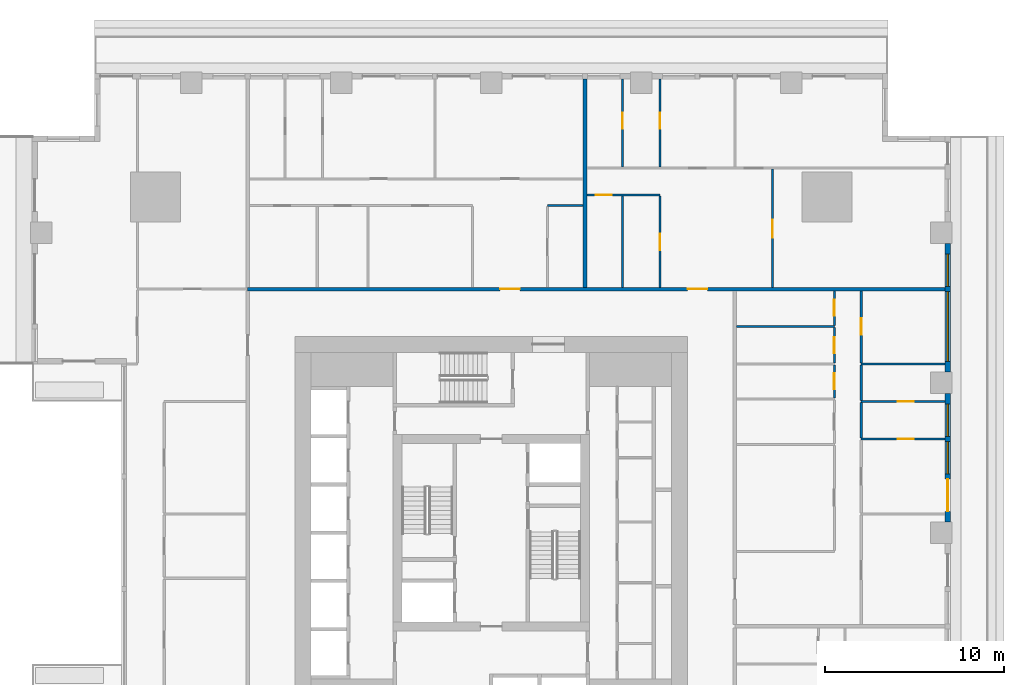
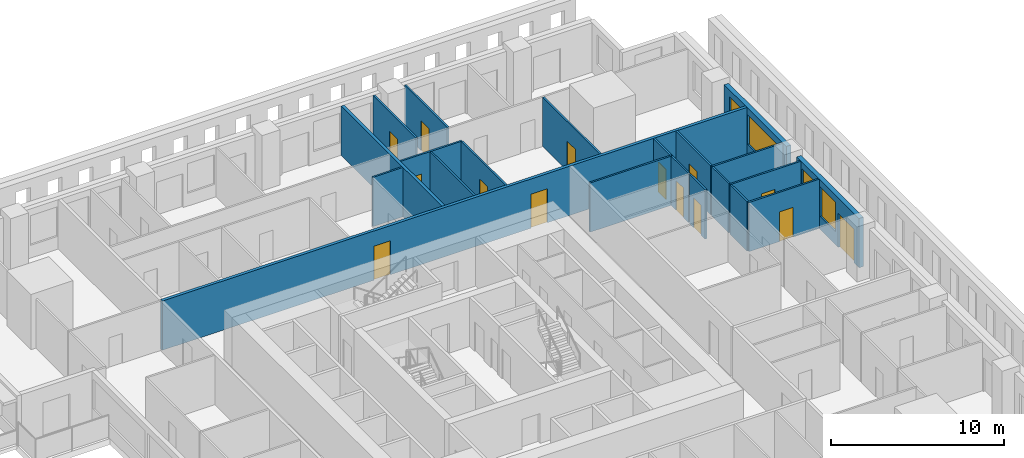
# One storey, part 8 of 14: 21 walls, 14 doors, 4 windows, 18 openings.
"""IFC4 building model written with IfcOpenShell, lengths in metres."""

from ifc_helpers import new_model, si_unit, direction, frame, frame_2d, origin, place, context, subcontext, project, spatial, rectangle, extrude, material, layer, layer_set, type_object, element, fill, save


model = new_model("IFC4")

# Units and contexts
model_context = context("Model", 3, precision=1e-05, world=origin(), true_north=direction((0.0, 1.0)))
body_context = subcontext(model_context, "Body", "Model", "MODEL_VIEW")
ifc_project = project(units=[si_unit("LENGTHUNIT", "METRE"), si_unit("AREAUNIT", "SQUARE_METRE"), si_unit("VOLUMEUNIT", "CUBIC_METRE"), si_unit("PLANEANGLEUNIT", "RADIAN"), si_unit("MASSUNIT", "GRAM", prefix="KILO")], contexts=[model_context])

# Site, building, storey
site_placement = place(None, origin())
site = spatial("IfcSite", under=ifc_project, at=site_placement, CompositionType="ELEMENT")
building_placement = place(site_placement, origin())
building = spatial("IfcBuilding", under=site, at=building_placement, Name="Khepri Terraces", CompositionType="ELEMENT")
storey_placement = place(building_placement, frame((0.0, 0.0, 102.60009765625)))
storey = spatial("IfcBuildingStorey", under=building, at=storey_placement, Name="L24", CompositionType="ELEMENT", Elevation=102.60009765625)

# Wall, openings, doors
ifc_material_1 = material(Name="Fire-rated gypsum plasterboard partition, mineral wool")
ifc_layer_1 = layer(ifc_material_1, 0.199951171875, Name="Fire-rated gypsum plasterboard partition, mineral wool")
ifc_layer_set_1 = layer_set([ifc_layer_1], Name="Fire-rated gypsum plasterboard partition, mineral wool")
wall_type_1 = type_object("IfcWallType", Name="WL-CORR-200", PredefinedType="PARTITIONING", material=ifc_layer_set_1)
wall_1_placement = place(storey_placement, frame((-13.64990234375, 13.64990234375, 0.0), z_axis=(0.0, 0.0, 1.0), x_axis=(1.0, 0.0, 0.0)))
wall_1 = element("IfcWall", 1, at=wall_1_placement, inside=storey, type_object=wall_type_1, Name="Partition P-070 L24", PredefinedType="PARTITIONING", context=body_context, shape_type="SweptSolid", body=[
    extrude(rectangle(XDim=39.06982421875, YDim=0.199951171875, at=frame_2d((19.534912109375, 0.0))), origin(), (0.0, 0.0, 1.0), 3.47998046875),
])
opening_1_placement = place(wall_1_placement, frame((24.64990234375, 0.0, 0.0)))
opening_1 = element("IfcOpeningElement", 2, at=opening_1_placement, cuts=wall_1, Name="Opening D1", PredefinedType="OPENING", context=body_context, shape_type="SweptSolid", body=[
    extrude(rectangle(XDim=1.10009765625, YDim=2.39990234375, at=frame_2d((0.550048828125, 1.199951171875))), frame((0.0, 0.10986328125, 0.0), z_axis=(0.0, -1.0, 0.0), x_axis=(1.0, 0.0, 0.0)), (0.0, 0.0, 1.0), 0.219970703125),
])
opening_2_placement = place(wall_1_placement, frame((14.14990234375, 0.0, 0.0)))
opening_2 = element("IfcOpeningElement", 3, at=opening_2_placement, cuts=wall_1, Name="Opening D1", PredefinedType="OPENING", context=body_context, shape_type="SweptSolid", body=[
    extrude(rectangle(XDim=1.10009765625, YDim=2.39990234375, at=frame_2d((0.550048828125, 1.199951171875))), frame((0.0, 0.10986328125, 0.0), z_axis=(0.0, -1.0, 0.0), x_axis=(1.0, 0.0, 0.0)), (0.0, 0.0, 1.0), 0.219970703125),
])
ifc_material_2 = material(Name="Solid-core timber door leaf, flat entrance door", Category="wood")
door_type_1 = type_object("IfcDoorType", Name="DR-ENT-1100", OperationType="NOTDEFINED", PredefinedType="DOOR", material=ifc_material_2)
door_1_placement = place(opening_1_placement, origin())
door_1 = element("IfcDoor", 4, at=door_1_placement, inside=storey, type_object=door_type_1, Name="Flat C1 entrance door", OperationType="SINGLE_SWING_RIGHT", OverallHeight=2.39990234375, OverallWidth=1.10009765625, PredefinedType="DOOR", context=body_context, shape_type="SweptSolid", body=[
    extrude(rectangle(XDim=1.10009765625, YDim=2.39990234375, at=frame_2d((0.550048828125, 1.199951171875))), frame((0.0, 0.02490234375, 0.0), z_axis=(0.0, -1.0, 0.0), x_axis=(1.0, 0.0, 0.0)), (0.0, 0.0, 1.0), 0.050048828125),
])
fill(opening_1, door_1)
door_2_placement = place(opening_2_placement, origin())
door_2 = element("IfcDoor", 5, at=door_2_placement, inside=storey, type_object=door_type_1, Name="Flat C2 entrance door", OperationType="SINGLE_SWING_LEFT", OverallHeight=2.39990234375, OverallWidth=1.10009765625, PredefinedType="DOOR", context=body_context, shape_type="SweptSolid", body=[
    extrude(rectangle(XDim=1.10009765625, YDim=2.39990234375, at=frame_2d((0.550048828125, 1.199951171875))), frame((0.0, 0.02490234375, 0.0), z_axis=(0.0, -1.0, 0.0), x_axis=(1.0, 0.0, 0.0)), (0.0, 0.0, 1.0), 0.050048828125),
])
fill(opening_2, door_2)

# Wall
wall_2_placement = place(storey_placement, frame((5.25, 13.75, 0.0), z_axis=(0.0, 0.0, 1.0), x_axis=(0.0, 1.0, 0.0)))
element("IfcWall", 6, at=wall_2_placement, inside=storey, type_object=wall_type_1, Name="Partition P-077 L24", PredefinedType="PARTITIONING", context=body_context, shape_type="SweptSolid", body=[
    extrude(rectangle(XDim=11.669921875, YDim=0.199951171875, at=frame_2d((5.8349609375, 0.0))), origin(), (0.0, 0.0, 1.0), 3.47998046875),
])

# Wall, openings, door, windows
ifc_material_3 = material(Name="Precast concrete C50/60 warm stone", Category="masonry")
ifc_layer_2 = layer(ifc_material_3, 0.300048828125, Name="Precast concrete C50/60 warm stone", Category="masonry")
ifc_layer_set_2 = layer_set([ifc_layer_2], Name="Precast concrete C50/60 warm stone")
wall_type_2 = type_object("IfcWallType", Name="WL-EXT-PRECAST-300", PredefinedType="STANDARD", material=ifc_layer_set_2)
wall_3_placement = place(storey_placement, frame((25.570068359375, 0.60009765625, 0.0), z_axis=(0.0, 0.0, 1.0), x_axis=(0.0, 1.0, 0.0)))
wall_3 = element("IfcWall", 7, at=wall_3_placement, inside=storey, type_object=wall_type_2, Name="External wall L24 E", PredefinedType="STANDARD", context=body_context, shape_type="SweptSolid", body=[
    extrude(rectangle(XDim=7.199951171875, YDim=0.300048828125, at=frame_2d((3.60009765625, 0.0))), origin(), (0.0, 0.0, 1.0), 3.47998046875),
])
opening_3_placement = place(wall_3_placement, frame((0.60009765625, 0.0, 0.0)))
opening_3 = element("IfcOpeningElement", 8, at=opening_3_placement, cuts=wall_3, Name="Opening ED-L24-05", PredefinedType="OPENING", context=body_context, shape_type="SweptSolid", body=[
    extrude(rectangle(XDim=1.800048828125, YDim=2.39990234375, at=frame_2d((0.89990234375, 1.199951171875))), frame((0.0, 0.16015625, 0.0), z_axis=(0.0, -1.0, 0.0), x_axis=(1.0, 0.0, 0.0)), (0.0, 0.0, 1.0), 0.320068359375),
])
opening_4_placement = place(wall_3_placement, frame((2.699951171875, 0.0, 0.89990234375)))
opening_4 = element("IfcOpeningElement", 9, at=opening_4_placement, cuts=wall_3, Name="Opening W1", PredefinedType="OPENING", context=body_context, shape_type="SweptSolid", body=[
    extrude(rectangle(XDim=1.800048828125, YDim=2.10009765625, at=frame_2d((0.89990234375, 1.050048828125))), frame((0.0, 0.16015625, 0.0), z_axis=(0.0, -1.0, 0.0), x_axis=(1.0, 0.0, 0.0)), (0.0, 0.0, 1.0), 0.320068359375),
])
opening_5_placement = place(wall_3_placement, frame((4.800048828125, 0.0, 0.89990234375)))
opening_5 = element("IfcOpeningElement", 10, at=opening_5_placement, cuts=wall_3, Name="Opening W1", PredefinedType="OPENING", context=body_context, shape_type="SweptSolid", body=[
    extrude(rectangle(XDim=1.800048828125, YDim=2.10009765625, at=frame_2d((0.89990234375, 1.050048828125))), frame((0.0, 0.16015625, 0.0), z_axis=(0.0, -1.0, 0.0), x_axis=(1.0, 0.0, 0.0)), (0.0, 0.0, 1.0), 0.320068359375),
])
ifc_material_4 = material(Name="Anodised aluminium bronze glazed door", Category="aluminium")
door_type_2 = type_object("IfcDoorType", Name="DR-BAL-SLIDE-1800x2400", OperationType="NOTDEFINED", PredefinedType="DOOR", material=ifc_material_4)
door_3_placement = place(opening_3_placement, origin())
door_3 = element("IfcDoor", 11, at=door_3_placement, inside=storey, type_object=door_type_2, Name="Balcony door L24 E", OperationType="SLIDING_TO_LEFT", OverallHeight=2.39990234375, OverallWidth=1.800048828125, PredefinedType="DOOR", context=body_context, shape_type="SweptSolid", body=[
    extrude(rectangle(XDim=1.800048828125, YDim=2.39990234375, at=frame_2d((0.89990234375, 1.199951171875))), frame((0.0, 0.02490234375, 0.0), z_axis=(0.0, -1.0, 0.0), x_axis=(1.0, 0.0, 0.0)), (0.0, 0.0, 1.0), 0.050048828125),
])
fill(opening_3, door_3)
ifc_material_5 = material(Name="Clear glass", Category="glass")
window_type_1 = type_object("IfcWindowType", Name="WIN-RES-1800x2100", PartitioningType="SINGLE_PANEL", PredefinedType="WINDOW", material=ifc_material_5)
window_1_placement = place(opening_4_placement, origin())
window_1 = element("IfcWindow", 12, at=window_1_placement, inside=storey, type_object=window_type_1, Name="Window L24 E", OverallHeight=2.10009765625, OverallWidth=1.800048828125, PartitioningType="SINGLE_PANEL", PredefinedType="WINDOW", context=body_context, shape_type="SweptSolid", body=[
    extrude(rectangle(XDim=1.800048828125, YDim=2.10009765625, at=frame_2d((0.89990234375, 1.050048828125))), frame((0.0, 0.030029296875, 0.0), z_axis=(0.0, -1.0, 0.0), x_axis=(1.0, 0.0, 0.0)), (0.0, 0.0, 1.0), 0.06005859375),
])
fill(opening_4, window_1)
window_2_placement = place(opening_5_placement, origin())
window_2 = element("IfcWindow", 13, at=window_2_placement, inside=storey, type_object=window_type_1, Name="Window L24 E", OverallHeight=2.10009765625, OverallWidth=1.800048828125, PartitioningType="SINGLE_PANEL", PredefinedType="WINDOW", context=body_context, shape_type="SweptSolid", body=[
    extrude(rectangle(XDim=1.800048828125, YDim=2.10009765625, at=frame_2d((0.89990234375, 1.050048828125))), frame((0.0, 0.030029296875, 0.0), z_axis=(0.0, -1.0, 0.0), x_axis=(1.0, 0.0, 0.0)), (0.0, 0.0, 1.0), 0.06005859375),
])
fill(opening_5, window_2)

# Wall, openings, windows
wall_4_placement = place(storey_placement, frame((25.570068359375, 9.0, 0.0), z_axis=(0.0, 0.0, 1.0), x_axis=(0.0, 1.0, 0.0)))
wall_4 = element("IfcWall", 14, at=wall_4_placement, inside=storey, type_object=wall_type_2, Name="External wall L24 E", PredefinedType="STANDARD", context=body_context, shape_type="SweptSolid", body=[
    extrude(rectangle(XDim=7.199951171875, YDim=0.300048828125, at=frame_2d((3.60009765625, 0.0))), origin(), (0.0, 0.0, 1.0), 3.47998046875),
])
opening_6_placement = place(wall_4_placement, frame((0.60009765625, 0.0, 0.89990234375)))
opening_6 = element("IfcOpeningElement", 15, at=opening_6_placement, cuts=wall_4, Name="Opening W2", PredefinedType="OPENING", context=body_context, shape_type="SweptSolid", body=[
    extrude(rectangle(XDim=3.89990234375, YDim=2.10009765625, at=frame_2d((1.949951171875, 1.050048828125))), frame((0.0, 0.16015625, 0.0), z_axis=(0.0, -1.0, 0.0), x_axis=(1.0, 0.0, 0.0)), (0.0, 0.0, 1.0), 0.320068359375),
])
opening_7_placement = place(wall_4_placement, frame((4.800048828125, 0.0, 0.89990234375)))
opening_7 = element("IfcOpeningElement", 16, at=opening_7_placement, cuts=wall_4, Name="Opening W1", PredefinedType="OPENING", context=body_context, shape_type="SweptSolid", body=[
    extrude(rectangle(XDim=1.800048828125, YDim=2.10009765625, at=frame_2d((0.89990234375, 1.050048828125))), frame((0.0, 0.16015625, 0.0), z_axis=(0.0, -1.0, 0.0), x_axis=(1.0, 0.0, 0.0)), (0.0, 0.0, 1.0), 0.320068359375),
])
window_3_placement = place(opening_7_placement, origin())
window_3 = element("IfcWindow", 17, at=window_3_placement, inside=storey, type_object=window_type_1, Name="Window L24 E", OverallHeight=2.10009765625, OverallWidth=1.800048828125, PartitioningType="SINGLE_PANEL", PredefinedType="WINDOW", context=body_context, shape_type="SweptSolid", body=[
    extrude(rectangle(XDim=1.800048828125, YDim=2.10009765625, at=frame_2d((0.89990234375, 1.050048828125))), frame((0.0, 0.030029296875, 0.0), z_axis=(0.0, -1.0, 0.0), x_axis=(1.0, 0.0, 0.0)), (0.0, 0.0, 1.0), 0.06005859375),
])
fill(opening_7, window_3)
window_type_2 = type_object("IfcWindowType", Name="WIN-RES-3900x2100", PartitioningType="SINGLE_PANEL", PredefinedType="WINDOW", material=ifc_material_5)
window_4_placement = place(opening_6_placement, origin())
window_4 = element("IfcWindow", 18, at=window_4_placement, inside=storey, type_object=window_type_2, Name="Window L24 E", OverallHeight=2.10009765625, OverallWidth=3.89990234375, PartitioningType="SINGLE_PANEL", PredefinedType="WINDOW", context=body_context, shape_type="SweptSolid", body=[
    extrude(rectangle(XDim=3.89990234375, YDim=2.10009765625, at=frame_2d((1.949951171875, 1.050048828125))), frame((0.0, 0.030029296875, 0.0), z_axis=(0.0, -1.0, 0.0), x_axis=(1.0, 0.0, 0.0)), (0.0, 0.0, 1.0), 0.06005859375),
])
fill(opening_6, window_4)

# Wall, opening, door
ifc_material_6 = material(Name="Gypsum plasterboard partition")
ifc_layer_3 = layer(ifc_material_6, 0.1201171875, Name="Gypsum plasterboard partition")
ifc_layer_set_3 = layer_set([ifc_layer_3], Name="Gypsum plasterboard partition")
wall_type_3 = type_object("IfcWallType", Name="WL-PART-120", PredefinedType="PARTITIONING", material=ifc_layer_set_3)
wall_5_placement = place(storey_placement, frame((20.719970703125, 5.25, 0.0), z_axis=(0.0, 0.0, 1.0), x_axis=(1.0, 0.0, 0.0)))
wall_5 = element("IfcWall", 19, at=wall_5_placement, inside=storey, type_object=wall_type_3, Name="Partition P-054 L24", PredefinedType="PARTITIONING", context=body_context, shape_type="SweptSolid", body=[
    extrude(rectangle(XDim=4.699951171875, YDim=0.1201171875, at=frame_2d((2.35009765625, 0.0))), origin(), (0.0, 0.0, 1.0), 3.47998046875),
])
opening_8_placement = place(wall_5_placement, frame((2.050048828125, 0.0, 0.0)))
opening_8 = element("IfcOpeningElement", 20, at=opening_8_placement, cuts=wall_5, Name="Opening D3", PredefinedType="OPENING", context=body_context, shape_type="SweptSolid", body=[
    extrude(rectangle(XDim=0.89990234375, YDim=2.10009765625, at=frame_2d((0.449951171875, 1.050048828125))), frame((0.0, 0.070068359375, 0.0), z_axis=(0.0, -1.0, 0.0), x_axis=(1.0, 0.0, 0.0)), (0.0, 0.0, 1.0), 0.14013671875),
])
ifc_material_7 = material(Name="Timber door leaf", Category="wood")
door_type_3 = type_object("IfcDoorType", Name="DR-INT-900", OperationType="NOTDEFINED", PredefinedType="DOOR", material=ifc_material_7)
door_4_placement = place(opening_8_placement, origin())
door_4 = element("IfcDoor", 21, at=door_4_placement, inside=storey, type_object=door_type_3, Name="Door Dressing Room", OperationType="SINGLE_SWING_RIGHT", OverallHeight=2.10009765625, OverallWidth=0.89990234375, PredefinedType="DOOR", context=body_context, shape_type="SweptSolid", body=[
    extrude(rectangle(XDim=0.89990234375, YDim=2.10009765625, at=frame_2d((0.449951171875, 1.050048828125))), frame((0.0, 0.02490234375, 0.0), z_axis=(0.0, -1.0, 0.0), x_axis=(1.0, 0.0, 0.0)), (0.0, 0.0, 1.0), 0.050048828125),
])
fill(opening_8, door_4)

# Wall
wall_6_placement = place(storey_placement, frame((20.719970703125, 5.31005859375, 0.0), z_axis=(0.0, 0.0, 1.0), x_axis=(0.0, 1.0, 0.0)))
element("IfcWall", 22, at=wall_6_placement, inside=storey, type_object=wall_type_3, Name="Partition P-055 L24", PredefinedType="PARTITIONING", context=body_context, shape_type="SweptSolid", body=[
    extrude(rectangle(XDim=1.97998046875, YDim=0.1201171875, at=frame_2d((0.989990234375, 0.0))), origin(), (0.0, 0.0, 1.0), 3.47998046875),
])

# Wall, opening, door
wall_7_placement = place(storey_placement, frame((20.719970703125, 7.35009765625, 0.0), z_axis=(0.0, 0.0, 1.0), x_axis=(1.0, 0.0, 0.0)))
wall_7 = element("IfcWall", 23, at=wall_7_placement, inside=storey, type_object=wall_type_3, Name="Partition P-057 L24", PredefinedType="PARTITIONING", context=body_context, shape_type="SweptSolid", body=[
    extrude(rectangle(XDim=4.699951171875, YDim=0.1201171875, at=frame_2d((2.35009765625, 0.0))), origin(), (0.0, 0.0, 1.0), 3.47998046875),
])
opening_9_placement = place(wall_7_placement, frame((2.050048828125, 0.0, 0.0)))
opening_9 = element("IfcOpeningElement", 24, at=opening_9_placement, cuts=wall_7, Name="Opening D4", PredefinedType="OPENING", context=body_context, shape_type="SweptSolid", body=[
    extrude(rectangle(XDim=0.89990234375, YDim=2.10009765625, at=frame_2d((0.449951171875, 1.050048828125))), frame((0.0, 0.070068359375, 0.0), z_axis=(0.0, -1.0, 0.0), x_axis=(1.0, 0.0, 0.0)), (0.0, 0.0, 1.0), 0.14013671875),
])
ifc_material_8 = material(Name="Timber door leaf, moisture resistant", Category="wood")
door_type_4 = type_object("IfcDoorType", Name="DR-WET-900", OperationType="NOTDEFINED", PredefinedType="DOOR", material=ifc_material_8)
door_5_placement = place(opening_9_placement, origin())
door_5 = element("IfcDoor", 25, at=door_5_placement, inside=storey, type_object=door_type_4, Name="Door Bathroom", OperationType="SINGLE_SWING_RIGHT", OverallHeight=2.10009765625, OverallWidth=0.89990234375, PredefinedType="DOOR", context=body_context, shape_type="SweptSolid", body=[
    extrude(rectangle(XDim=0.89990234375, YDim=2.10009765625, at=frame_2d((0.449951171875, 1.050048828125))), frame((0.0, 0.02490234375, 0.0), z_axis=(0.0, -1.0, 0.0), x_axis=(1.0, 0.0, 0.0)), (0.0, 0.0, 1.0), 0.050048828125),
])
fill(opening_9, door_5)

# Wall
wall_8_placement = place(storey_placement, frame((20.719970703125, 7.409912109375, 0.0), z_axis=(0.0, 0.0, 1.0), x_axis=(0.0, 1.0, 0.0)))
element("IfcWall", 26, at=wall_8_placement, inside=storey, type_object=wall_type_3, Name="Partition P-058 L24", PredefinedType="PARTITIONING", context=body_context, shape_type="SweptSolid", body=[
    extrude(rectangle(XDim=1.97998046875, YDim=0.1201171875, at=frame_2d((0.989990234375, 0.0))), origin(), (0.0, 0.0, 1.0), 3.47998046875),
])

# Wall, opening, door
wall_9_placement = place(storey_placement, frame((19.219970703125, 7.56005859375, 0.0), z_axis=(0.0, 0.0, 1.0), x_axis=(0.0, 1.0, 0.0)))
wall_9 = element("IfcWall", 27, at=wall_9_placement, inside=storey, type_object=wall_type_3, Name="Partition P-060 L24", PredefinedType="PARTITIONING", context=body_context, shape_type="SweptSolid", body=[
    extrude(rectangle(XDim=1.829833984375, YDim=0.1201171875, at=frame_2d((0.9150390625, 0.0))), origin(), (0.0, 0.0, 1.0), 3.47998046875),
])
opening_10_placement = place(wall_9_placement, frame((0.465087890625, 0.0, 0.0)))
opening_10 = element("IfcOpeningElement", 28, at=opening_10_placement, cuts=wall_9, Name="Opening D4", PredefinedType="OPENING", context=body_context, shape_type="SweptSolid", body=[
    extrude(rectangle(XDim=0.89990234375, YDim=2.10009765625, at=frame_2d((0.449951171875, 1.050048828125))), frame((0.0, 0.070068359375, 0.0), z_axis=(0.0, -1.0, 0.0), x_axis=(1.0, 0.0, 0.0)), (0.0, 0.0, 1.0), 0.14013671875),
])
door_6_placement = place(opening_10_placement, origin())
door_6 = element("IfcDoor", 29, at=door_6_placement, inside=storey, type_object=door_type_4, Name="Door Powder Room", OperationType="SINGLE_SWING_LEFT", OverallHeight=2.10009765625, OverallWidth=0.89990234375, PredefinedType="DOOR", context=body_context, shape_type="SweptSolid", body=[
    extrude(rectangle(XDim=0.89990234375, YDim=2.10009765625, at=frame_2d((0.449951171875, 1.050048828125))), frame((0.0, 0.02490234375, 0.0), z_axis=(0.0, -1.0, 0.0), x_axis=(1.0, 0.0, 0.0)), (0.0, 0.0, 1.0), 0.050048828125),
])
fill(opening_10, door_6)

# Wall
wall_10_placement = place(storey_placement, frame((20.719970703125, 9.449951171875, 0.0), z_axis=(0.0, 0.0, 1.0), x_axis=(1.0, 0.0, 0.0)))
element("IfcWall", 30, at=wall_10_placement, inside=storey, type_object=wall_type_3, Name="Partition P-063 L24", PredefinedType="PARTITIONING", context=body_context, shape_type="SweptSolid", body=[
    extrude(rectangle(XDim=4.699951171875, YDim=0.1201171875, at=frame_2d((2.35009765625, 0.0))), origin(), (0.0, 0.0, 1.0), 3.47998046875),
])

# Wall, opening, door
wall_11_placement = place(storey_placement, frame((19.219970703125, 9.510009765625, 0.0), z_axis=(0.0, 0.0, 1.0), x_axis=(0.0, 1.0, 0.0)))
wall_11 = element("IfcWall", 31, at=wall_11_placement, inside=storey, type_object=wall_type_3, Name="Partition P-065 L24", PredefinedType="PARTITIONING", context=body_context, shape_type="SweptSolid", body=[
    extrude(rectangle(XDim=1.97998046875, YDim=0.1201171875, at=frame_2d((0.989990234375, 0.0))), origin(), (0.0, 0.0, 1.0), 3.47998046875),
])
opening_11_placement = place(wall_11_placement, frame((0.5400390625, 0.0, 0.0)))
opening_11 = element("IfcOpeningElement", 32, at=opening_11_placement, cuts=wall_11, Name="Opening D3", PredefinedType="OPENING", context=body_context, shape_type="SweptSolid", body=[
    extrude(rectangle(XDim=0.89990234375, YDim=2.10009765625, at=frame_2d((0.449951171875, 1.050048828125))), frame((0.0, 0.070068359375, 0.0), z_axis=(0.0, -1.0, 0.0), x_axis=(1.0, 0.0, 0.0)), (0.0, 0.0, 1.0), 0.14013671875),
])
door_7_placement = place(opening_11_placement, origin())
door_7 = element("IfcDoor", 33, at=door_7_placement, inside=storey, type_object=door_type_3, Name="Door Utility Room", OperationType="SINGLE_SWING_RIGHT", OverallHeight=2.10009765625, OverallWidth=0.89990234375, PredefinedType="DOOR", context=body_context, shape_type="SweptSolid", body=[
    extrude(rectangle(XDim=0.89990234375, YDim=2.10009765625, at=frame_2d((0.449951171875, 1.050048828125))), frame((0.0, 0.02490234375, 0.0), z_axis=(0.0, -1.0, 0.0), x_axis=(1.0, 0.0, 0.0)), (0.0, 0.0, 1.0), 0.050048828125),
])
fill(opening_11, door_7)

wall_12_placement = place(storey_placement, frame((20.719970703125, 9.510009765625, 0.0), z_axis=(0.0, 0.0, 1.0), x_axis=(0.0, 1.0, 0.0)))
wall_12 = element("IfcWall", 34, at=wall_12_placement, inside=storey, type_object=wall_type_3, Name="Partition P-066 L24", PredefinedType="PARTITIONING", context=body_context, shape_type="SweptSolid", body=[
    extrude(rectangle(XDim=4.0400390625, YDim=0.1201171875, at=frame_2d((2.02001953125, 0.0))), origin(), (0.0, 0.0, 1.0), 3.47998046875),
])
opening_12_placement = place(wall_12_placement, frame((1.590087890625, 0.0, 0.0)))
opening_12 = element("IfcOpeningElement", 35, at=opening_12_placement, cuts=wall_12, Name="Opening D3", PredefinedType="OPENING", context=body_context, shape_type="SweptSolid", body=[
    extrude(rectangle(XDim=0.89990234375, YDim=2.10009765625, at=frame_2d((0.449951171875, 1.050048828125))), frame((0.0, 0.070068359375, 0.0), z_axis=(0.0, -1.0, 0.0), x_axis=(1.0, 0.0, 0.0)), (0.0, 0.0, 1.0), 0.14013671875),
])
door_8_placement = place(opening_12_placement, frame((0.89990234375, 0.0, 0.0), z_axis=(0.0, 0.0, 1.0), x_axis=(-1.0, 0.0, 0.0)))
door_8 = element("IfcDoor", 36, at=door_8_placement, inside=storey, type_object=door_type_3, Name="Door Study", OperationType="SINGLE_SWING_LEFT", OverallHeight=2.10009765625, OverallWidth=0.89990234375, PredefinedType="DOOR", context=body_context, shape_type="SweptSolid", body=[
    extrude(rectangle(XDim=0.89990234375, YDim=2.10009765625, at=frame_2d((0.449951171875, 1.050048828125))), frame((0.0, 0.02490234375, 0.0), z_axis=(0.0, -1.0, 0.0), x_axis=(1.0, 0.0, 0.0)), (0.0, 0.0, 1.0), 0.050048828125),
])
fill(opening_12, door_8)

# Wall
wall_13_placement = place(storey_placement, frame((13.75, 11.550048828125, 0.0), z_axis=(0.0, 0.0, 1.0), x_axis=(1.0, 0.0, 0.0)))
element("IfcWall", 37, at=wall_13_placement, inside=storey, type_object=wall_type_3, Name="Partition P-067 L24", PredefinedType="PARTITIONING", context=body_context, shape_type="SweptSolid", body=[
    extrude(rectangle(XDim=5.469970703125, YDim=0.1201171875, at=frame_2d((2.73486328125, 0.0))), origin(), (0.0, 0.0, 1.0), 3.47998046875),
])

# Wall, opening, door
wall_14_placement = place(storey_placement, frame((19.219970703125, 11.610107421875, 0.0), z_axis=(0.0, 0.0, 1.0), x_axis=(0.0, 1.0, 0.0)))
wall_14 = element("IfcWall", 38, at=wall_14_placement, inside=storey, type_object=wall_type_3, Name="Partition P-068 L24", PredefinedType="PARTITIONING", context=body_context, shape_type="SweptSolid", body=[
    extrude(rectangle(XDim=1.93994140625, YDim=0.1201171875, at=frame_2d((0.969970703125, 0.0))), origin(), (0.0, 0.0, 1.0), 3.47998046875),
])
opening_13_placement = place(wall_14_placement, frame((0.5400390625, 0.0, 0.0)))
opening_13 = element("IfcOpeningElement", 39, at=opening_13_placement, cuts=wall_14, Name="Opening D4", PredefinedType="OPENING", context=body_context, shape_type="SweptSolid", body=[
    extrude(rectangle(XDim=0.89990234375, YDim=2.10009765625, at=frame_2d((0.449951171875, 1.050048828125))), frame((0.0, 0.070068359375, 0.0), z_axis=(0.0, -1.0, 0.0), x_axis=(1.0, 0.0, 0.0)), (0.0, 0.0, 1.0), 0.14013671875),
])
door_9_placement = place(opening_13_placement, origin())
door_9 = element("IfcDoor", 40, at=door_9_placement, inside=storey, type_object=door_type_4, Name="Door Guest Bathroom", OperationType="SINGLE_SWING_RIGHT", OverallHeight=2.10009765625, OverallWidth=0.89990234375, PredefinedType="DOOR", context=body_context, shape_type="SweptSolid", body=[
    extrude(rectangle(XDim=0.89990234375, YDim=2.10009765625, at=frame_2d((0.449951171875, 1.050048828125))), frame((0.0, 0.02490234375, 0.0), z_axis=(0.0, -1.0, 0.0), x_axis=(1.0, 0.0, 0.0)), (0.0, 0.0, 1.0), 0.050048828125),
])
fill(opening_13, door_9)

# Wall
wall_15_placement = place(storey_placement, frame((7.35009765625, 13.75, 0.0), z_axis=(0.0, 0.0, 1.0), x_axis=(0.0, 1.0, 0.0)))
element("IfcWall", 41, at=wall_15_placement, inside=storey, type_object=wall_type_3, Name="Partition P-078 L24", PredefinedType="PARTITIONING", context=body_context, shape_type="SweptSolid", body=[
    extrude(rectangle(XDim=5.110107421875, YDim=0.1201171875, at=frame_2d((2.55517578125, 0.0))), origin(), (0.0, 0.0, 1.0), 3.47998046875),
])

# Wall, opening, door
wall_16_placement = place(storey_placement, frame((9.449951171875, 13.75, 0.0), z_axis=(0.0, 0.0, 1.0), x_axis=(0.0, 1.0, 0.0)))
wall_16 = element("IfcWall", 42, at=wall_16_placement, inside=storey, type_object=wall_type_3, Name="Partition P-079 L24", PredefinedType="PARTITIONING", context=body_context, shape_type="SweptSolid", body=[
    extrude(rectangle(XDim=5.110107421875, YDim=0.1201171875, at=frame_2d((2.55517578125, 0.0))), origin(), (0.0, 0.0, 1.0), 3.47998046875),
])
opening_14_placement = place(wall_16_placement, frame((2.0849609375, 0.0, 0.0)))
opening_14 = element("IfcOpeningElement", 43, at=opening_14_placement, cuts=wall_16, Name="Opening D4", PredefinedType="OPENING", context=body_context, shape_type="SweptSolid", body=[
    extrude(rectangle(XDim=0.89990234375, YDim=2.10009765625, at=frame_2d((0.449951171875, 1.050048828125))), frame((0.0, 0.070068359375, 0.0), z_axis=(0.0, -1.0, 0.0), x_axis=(1.0, 0.0, 0.0)), (0.0, 0.0, 1.0), 0.14013671875),
])
door_10_placement = place(opening_14_placement, origin())
door_10 = element("IfcDoor", 44, at=door_10_placement, inside=storey, type_object=door_type_4, Name="Door Guest Bathroom", OperationType="SINGLE_SWING_LEFT", OverallHeight=2.10009765625, OverallWidth=0.89990234375, PredefinedType="DOOR", context=body_context, shape_type="SweptSolid", body=[
    extrude(rectangle(XDim=0.89990234375, YDim=2.10009765625, at=frame_2d((0.449951171875, 1.050048828125))), frame((0.0, 0.02490234375, 0.0), z_axis=(0.0, -1.0, 0.0), x_axis=(1.0, 0.0, 0.0)), (0.0, 0.0, 1.0), 0.050048828125),
])
fill(opening_14, door_10)

wall_17_placement = place(storey_placement, frame((15.75, 13.75, 0.0), z_axis=(0.0, 0.0, 1.0), x_axis=(0.0, 1.0, 0.0)))
wall_17 = element("IfcWall", 45, at=wall_17_placement, inside=storey, type_object=wall_type_3, Name="Partition P-080 L24", PredefinedType="PARTITIONING", context=body_context, shape_type="SweptSolid", body=[
    extrude(rectangle(XDim=6.610107421875, YDim=0.1201171875, at=frame_2d((3.30517578125, 0.0))), origin(), (0.0, 0.0, 1.0), 3.47998046875),
])
opening_15_placement = place(wall_17_placement, frame((2.784912109375, 0.0, 0.0)))
opening_15 = element("IfcOpeningElement", 46, at=opening_15_placement, cuts=wall_17, Name="Opening D2", PredefinedType="OPENING", context=body_context, shape_type="SweptSolid", body=[
    extrude(rectangle(XDim=1.0, YDim=2.10009765625, at=frame_2d((0.5, 1.050048828125))), frame((0.0, 0.070068359375, 0.0), z_axis=(0.0, -1.0, 0.0), x_axis=(1.0, 0.0, 0.0)), (0.0, 0.0, 1.0), 0.14013671875),
])
ifc_material_9 = material(Name="Timber door leaf, living room door", Category="wood")
door_type_5 = type_object("IfcDoorType", Name="DR-INT-1000", OperationType="NOTDEFINED", PredefinedType="DOOR", material=ifc_material_9)
door_11_placement = place(opening_15_placement, frame((1.0, 0.0, 0.0), z_axis=(0.0, 0.0, 1.0), x_axis=(-1.0, 0.0, 0.0)))
door_11 = element("IfcDoor", 47, at=door_11_placement, inside=storey, type_object=door_type_5, Name="Door Family Room", OperationType="SINGLE_SWING_RIGHT", OverallHeight=2.10009765625, OverallWidth=1.0, PredefinedType="DOOR", context=body_context, shape_type="SweptSolid", body=[
    extrude(rectangle(XDim=1.0, YDim=2.10009765625, at=frame_2d((0.5, 1.050048828125))), frame((0.0, 0.02490234375, 0.0), z_axis=(0.0, -1.0, 0.0), x_axis=(1.0, 0.0, 0.0)), (0.0, 0.0, 1.0), 0.050048828125),
])
fill(opening_15, door_11)

# Wall
wall_18_placement = place(storey_placement, frame((3.14990234375, 18.320068359375, 0.0), z_axis=(0.0, 0.0, 1.0), x_axis=(1.0, 0.0, 0.0)))
element("IfcWall", 48, at=wall_18_placement, inside=storey, type_object=wall_type_3, Name="Partition P-082 L24", PredefinedType="PARTITIONING", context=body_context, shape_type="SweptSolid", body=[
    extrude(rectangle(XDim=2.0, YDim=0.1201171875, at=frame_2d((1.0, 0.0))), origin(), (0.0, 0.0, 1.0), 3.47998046875),
])

# Wall, opening, door
wall_19_placement = place(storey_placement, frame((5.35009765625, 18.919921875, 0.0), z_axis=(0.0, 0.0, 1.0), x_axis=(1.0, 0.0, 0.0)))
wall_19 = element("IfcWall", 49, at=wall_19_placement, inside=storey, type_object=wall_type_3, Name="Partition P-083 L24", PredefinedType="PARTITIONING", context=body_context, shape_type="SweptSolid", body=[
    extrude(rectangle(XDim=4.099853515625, YDim=0.1201171875, at=frame_2d((2.0498046875, 0.0))), origin(), (0.0, 0.0, 1.0), 3.47998046875),
])
opening_16_placement = place(wall_19_placement, frame((0.5, 0.0, 0.0)))
opening_16 = element("IfcOpeningElement", 50, at=opening_16_placement, cuts=wall_19, Name="Opening D3", PredefinedType="OPENING", context=body_context, shape_type="SweptSolid", body=[
    extrude(rectangle(XDim=0.89990234375, YDim=2.10009765625, at=frame_2d((0.449951171875, 1.050048828125))), frame((0.0, 0.070068359375, 0.0), z_axis=(0.0, -1.0, 0.0), x_axis=(1.0, 0.0, 0.0)), (0.0, 0.0, 1.0), 0.14013671875),
])
door_12_placement = place(opening_16_placement, frame((0.89990234375, 0.0, 0.0), z_axis=(0.0, 0.0, 1.0), x_axis=(-1.0, 0.0, 0.0)))
door_12 = element("IfcDoor", 51, at=door_12_placement, inside=storey, type_object=door_type_3, Name="Door Kitchen", OperationType="SINGLE_SWING_RIGHT", OverallHeight=2.10009765625, OverallWidth=0.89990234375, PredefinedType="DOOR", context=body_context, shape_type="SweptSolid", body=[
    extrude(rectangle(XDim=0.89990234375, YDim=2.10009765625, at=frame_2d((0.449951171875, 1.050048828125))), frame((0.0, 0.02490234375, 0.0), z_axis=(0.0, -1.0, 0.0), x_axis=(1.0, 0.0, 0.0)), (0.0, 0.0, 1.0), 0.050048828125),
])
fill(opening_16, door_12)

wall_20_placement = place(storey_placement, frame((7.35009765625, 20.47998046875, 0.0), z_axis=(0.0, 0.0, 1.0), x_axis=(0.0, 1.0, 0.0)))
wall_20 = element("IfcWall", 52, at=wall_20_placement, inside=storey, type_object=wall_type_3, Name="Partition P-090 L24", PredefinedType="PARTITIONING", context=body_context, shape_type="SweptSolid", body=[
    extrude(rectangle(XDim=4.93994140625, YDim=0.1201171875, at=frame_2d((2.469970703125, 0.0))), origin(), (0.0, 0.0, 1.0), 3.47998046875),
])
opening_17_placement = place(wall_20_placement, frame((2.139892578125, 0.0, 0.0)))
opening_17 = element("IfcOpeningElement", 53, at=opening_17_placement, cuts=wall_20, Name="Opening D4", PredefinedType="OPENING", context=body_context, shape_type="SweptSolid", body=[
    extrude(rectangle(XDim=0.89990234375, YDim=2.10009765625, at=frame_2d((0.449951171875, 1.050048828125))), frame((0.0, 0.070068359375, 0.0), z_axis=(0.0, -1.0, 0.0), x_axis=(1.0, 0.0, 0.0)), (0.0, 0.0, 1.0), 0.14013671875),
])
door_13_placement = place(opening_17_placement, origin())
door_13 = element("IfcDoor", 54, at=door_13_placement, inside=storey, type_object=door_type_4, Name="Door Bathroom", OperationType="SINGLE_SWING_RIGHT", OverallHeight=2.10009765625, OverallWidth=0.89990234375, PredefinedType="DOOR", context=body_context, shape_type="SweptSolid", body=[
    extrude(rectangle(XDim=0.89990234375, YDim=2.10009765625, at=frame_2d((0.449951171875, 1.050048828125))), frame((0.0, 0.02490234375, 0.0), z_axis=(0.0, -1.0, 0.0), x_axis=(1.0, 0.0, 0.0)), (0.0, 0.0, 1.0), 0.050048828125),
])
fill(opening_17, door_13)

wall_21_placement = place(storey_placement, frame((9.449951171875, 20.47998046875, 0.0), z_axis=(0.0, 0.0, 1.0), x_axis=(0.0, 1.0, 0.0)))
wall_21 = element("IfcWall", 55, at=wall_21_placement, inside=storey, type_object=wall_type_3, Name="Partition P-091 L24", PredefinedType="PARTITIONING", context=body_context, shape_type="SweptSolid", body=[
    extrude(rectangle(XDim=4.93994140625, YDim=0.1201171875, at=frame_2d((2.469970703125, 0.0))), origin(), (0.0, 0.0, 1.0), 3.47998046875),
])
opening_18_placement = place(wall_21_placement, frame((2.139892578125, 0.0, 0.0)))
opening_18 = element("IfcOpeningElement", 56, at=opening_18_placement, cuts=wall_21, Name="Opening D3", PredefinedType="OPENING", context=body_context, shape_type="SweptSolid", body=[
    extrude(rectangle(XDim=0.89990234375, YDim=2.10009765625, at=frame_2d((0.449951171875, 1.050048828125))), frame((0.0, 0.070068359375, 0.0), z_axis=(0.0, -1.0, 0.0), x_axis=(1.0, 0.0, 0.0)), (0.0, 0.0, 1.0), 0.14013671875),
])
door_14_placement = place(opening_18_placement, origin())
door_14 = element("IfcDoor", 57, at=door_14_placement, inside=storey, type_object=door_type_3, Name="Door Dressing Room", OperationType="SINGLE_SWING_RIGHT", OverallHeight=2.10009765625, OverallWidth=0.89990234375, PredefinedType="DOOR", context=body_context, shape_type="SweptSolid", body=[
    extrude(rectangle(XDim=0.89990234375, YDim=2.10009765625, at=frame_2d((0.449951171875, 1.050048828125))), frame((0.0, 0.02490234375, 0.0), z_axis=(0.0, -1.0, 0.0), x_axis=(1.0, 0.0, 0.0)), (0.0, 0.0, 1.0), 0.050048828125),
])
fill(opening_18, door_14)

save(model, "model.ifc")
